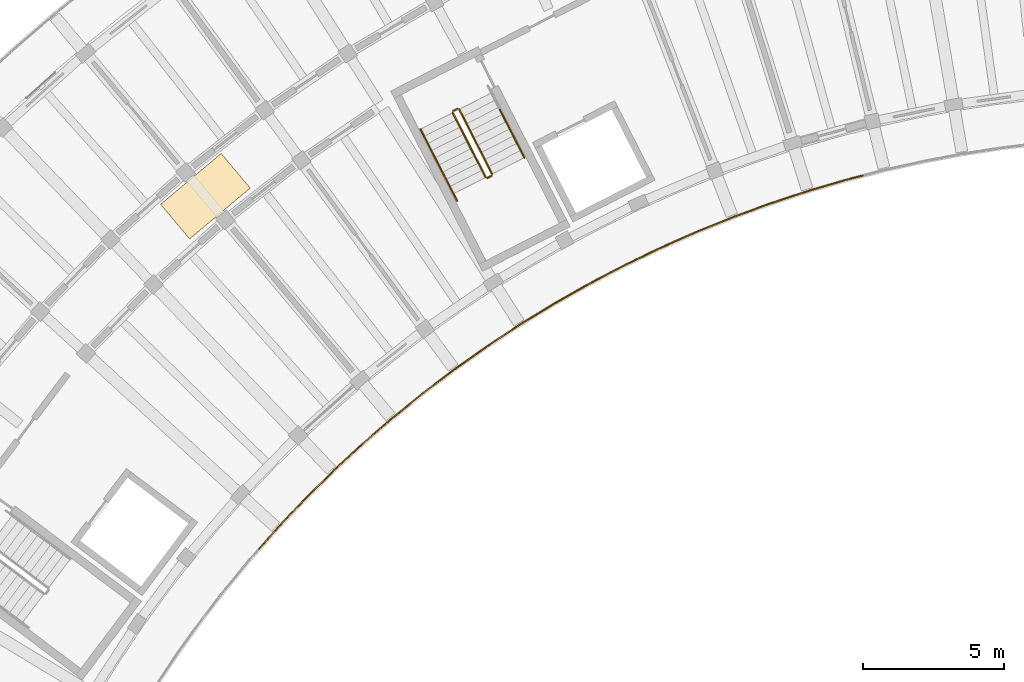
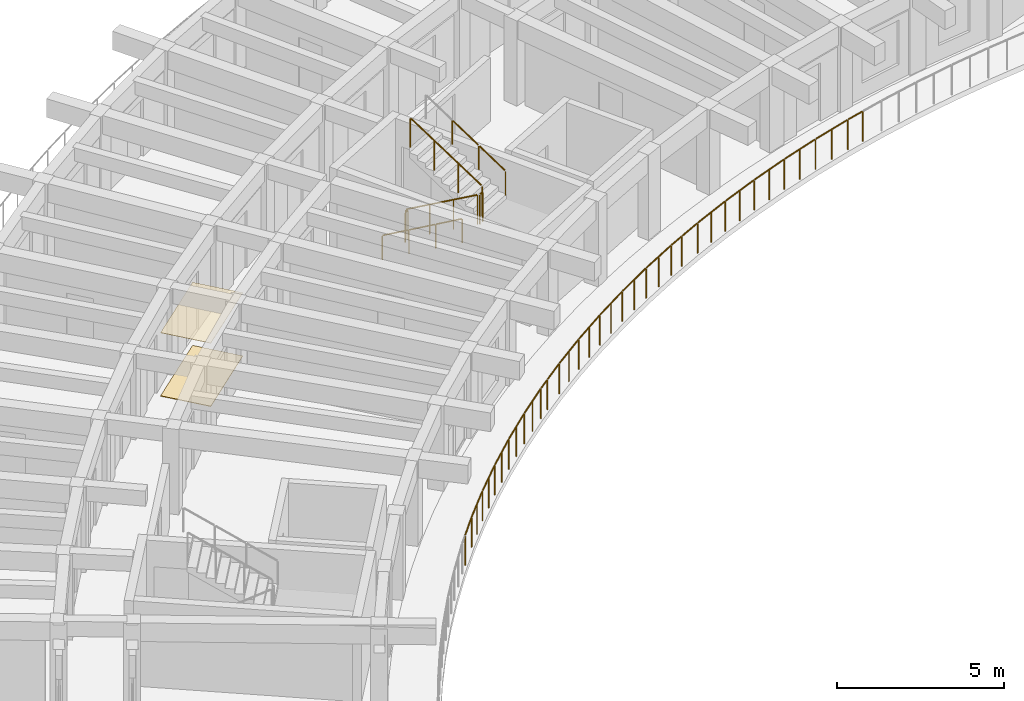
# One storey, part 48 of 56: 12 railings, 2 coverings.
"""IFC4 building model written with IfcOpenShell, lengths in metres."""

from ifc_helpers import new_model, si_unit, direction, frame, origin, origin_2d, place, context, subcontext, project, spatial, rectangle, circle, extrude, material, layer, layer_set, type_object, element, save


model = new_model("IFC4")

# Units and contexts
model_context = context("Model", 3, precision=1e-05, world=origin(), true_north=direction((0.0, 1.0)))
body_context = subcontext(model_context, "Body", "Model", "MODEL_VIEW")
ifc_project = project(units=[si_unit("LENGTHUNIT", "METRE"), si_unit("AREAUNIT", "SQUARE_METRE"), si_unit("VOLUMEUNIT", "CUBIC_METRE"), si_unit("PLANEANGLEUNIT", "RADIAN"), si_unit("MASSUNIT", "GRAM", prefix="KILO")], contexts=[model_context])

# Site, building, storey
site_placement = place(None, origin())
site = spatial("IfcSite", under=ifc_project, at=site_placement, CompositionType="ELEMENT")
building_placement = place(site_placement, origin())
building = spatial("IfcBuilding", under=site, at=building_placement, Name="Tanwirah Colonnade Gardens", CompositionType="ELEMENT")
storey_placement = place(building_placement, frame((0.0, 0.0, 29.0)))
storey = spatial("IfcBuildingStorey", under=building, at=storey_placement, Name="L08", CompositionType="ELEMENT", Elevation=29.0)

# Railings
ifc_material_1 = material(Name="Precast concrete C40/50", Category="concrete")
railing_type_1 = type_object("IfcRailingType", Name="BAL-EXT112", PredefinedType="BALUSTRADE", material=ifc_material_1)
railing_1_placement = place(storey_placement, frame((54.236083984375, 101.494384765625, 0.0)))
element("IfcRailing", 1, at=railing_1_placement, inside=storey, type_object=railing_type_1, Name="Block A L08 Balcony Ribbon Balustrade 2", PredefinedType="BALUSTRADE", context=body_context, shape_type="SweptSolid", body=[
    extrude(circle(Radius=0.02392578125, at=origin_2d()), frame((-0.0302734375, -0.0078125, 1.09619140625), z_axis=(-0.968166647099, -0.250306499006, 0.0), x_axis=(0.250306499006, -0.968166647099, 0.0)), (0.0, 0.0, 1.0), 0.557861328125),
    extrude(circle(Radius=0.02392578125, at=origin_2d()), frame((-0.63330078125, -0.164794921875, 1.09619140625), z_axis=(-0.959362733044, -0.282175736812, 0.0), x_axis=(0.282175736812, -0.959362733044, 0.0)), (0.0, 0.0, 1.0), 1.341796875),
    extrude(circle(Radius=0.02392578125, at=origin_2d()), frame((-1.98291015625, -0.562744140625, 1.09619140625), z_axis=(-0.949531842797, -0.313670654533, 0.0), x_axis=(0.313670654533, -0.949531842797, 0.0)), (0.0, 0.0, 1.0), 1.341552734375),
    extrude(circle(Radius=0.02392578125, at=origin_2d()), frame((-3.318359375, -1.005126953125, 1.09619140625), z_axis=(-0.93868698515, -0.344770567059, 0.0), x_axis=(0.344770567059, -0.93868698515, 0.0)), (0.0, 0.0, 1.0), 1.341796875),
    extrude(circle(Radius=0.02392578125, at=origin_2d()), frame((-4.638671875, -1.4912109375, 1.09619140625), z_axis=(-0.92683738147, -0.375463005247, 0.0), x_axis=(0.375463005247, -0.92683738147, 0.0)), (0.0, 0.0, 1.0), 1.342041015625),
    extrude(circle(Radius=0.02392578125, at=origin_2d()), frame((-5.942138671875, -2.0205078125, 1.09619140625), z_axis=(-0.913997826773, -0.40571908096, 0.0), x_axis=(0.40571908096, -0.913997826773, 0.0)), (0.0, 0.0, 1.0), 1.342041015625),
    extrude(circle(Radius=0.02392578125, at=origin_2d()), frame((-7.2275390625, -2.592529296875, 1.09619140625), z_axis=(-0.900038195948, -0.435811020783, 0.0), x_axis=(0.435811020783, -0.900038195948, 0.0)), (0.0, 0.0, 1.0), 0.779541015625),
    extrude(circle(Radius=0.02099609375, at=origin_2d()), origin(), (0.0, 0.0, 1.0), 1.069091796875),
    extrude(circle(Radius=0.02099609375, at=origin_2d()), frame((-0.6005859375, -0.1552734375, 0.0)), (0.0, 0.0, 1.0), 1.069091796875),
    extrude(circle(Radius=0.02099609375, at=origin_2d()), frame((-1.27685546875, -0.35400390625, 0.0)), (0.0, 0.0, 1.0), 1.069091796875),
    extrude(circle(Radius=0.02099609375, at=origin_2d()), frame((-1.950439453125, -0.55224609375, 0.0)), (0.0, 0.0, 1.0), 1.069091796875),
    extrude(circle(Radius=0.02099609375, at=origin_2d()), frame((-2.61962890625, -0.773193359375, 0.0)), (0.0, 0.0, 1.0), 1.069091796875),
    extrude(circle(Radius=0.02099609375, at=origin_2d()), frame((-3.286376953125, -0.993408203125, 0.0)), (0.0, 0.0, 1.0), 1.069091796875),
    extrude(circle(Radius=0.02099609375, at=origin_2d()), frame((-3.9482421875, -1.236328125, 0.0)), (0.0, 0.0, 1.0), 1.069091796875),
    extrude(circle(Radius=0.02099609375, at=origin_2d()), frame((-4.607177734375, -1.478515625, 0.0)), (0.0, 0.0, 1.0), 1.069091796875),
    extrude(circle(Radius=0.02099609375, at=origin_2d()), frame((-5.260498046875, -1.7431640625, 0.0)), (0.0, 0.0, 1.0), 1.069091796875),
    extrude(circle(Radius=0.02099609375, at=origin_2d()), frame((-5.911376953125, -2.0068359375, 0.0)), (0.0, 0.0, 1.0), 1.069091796875),
    extrude(circle(Radius=0.02099609375, at=origin_2d()), frame((-6.555419921875, -2.292724609375, 0.0)), (0.0, 0.0, 1.0), 1.069091796875),
    extrude(circle(Radius=0.02099609375, at=origin_2d()), frame((-7.197265625, -2.57763671875, 0.0)), (0.0, 0.0, 1.0), 1.069091796875),
    extrude(circle(Radius=0.02099609375, at=origin_2d()), frame((-7.957275390625, -2.94580078125, 0.0)), (0.0, 0.0, 1.0), 1.069091796875),
])
railing_2_placement = place(storey_placement, frame((46.27880859375, 98.548583984375, 0.0)))
element("IfcRailing", 2, at=railing_2_placement, inside=storey, type_object=railing_type_1, Name="Block A L08 Balcony Ribbon Balustrade 3", PredefinedType="BALUSTRADE", context=body_context, shape_type="SweptSolid", body=[
    extrude(circle(Radius=0.02392578125, at=origin_2d()), frame((-0.028076171875, -0.013671875, 1.09619140625), z_axis=(-0.900252558568, -0.435368040619, 0.0), x_axis=(0.435368040619, -0.900252558568, 0.0)), (0.0, 0.0, 1.0), 0.5),
    extrude(circle(Radius=0.02392578125, at=origin_2d()), frame((-0.5361328125, -0.2607421875, 1.09619140625), z_axis=(-0.885204649416, -0.465201814972, 0.0), x_axis=(0.465201814972, -0.885204649416, 0.0)), (0.0, 0.0, 1.0), 1.341796875),
    extrude(circle(Radius=0.02392578125, at=origin_2d()), frame((-1.78125, -0.916015625, 1.09619140625), z_axis=(-0.869342839865, -0.494209496848, 0.0), x_axis=(0.494209496848, -0.869342839865, 0.0)), (0.0, 0.0, 1.0), 1.342041015625),
    extrude(circle(Radius=0.02392578125, at=origin_2d()), frame((-3.00390625, -1.6123046875, 1.09619140625), z_axis=(-0.852623736113, -0.522525372223, 0.0), x_axis=(0.522525372223, -0.852623736113, 0.0)), (0.0, 0.0, 1.0), 1.342041015625),
    extrude(circle(Radius=0.02392578125, at=origin_2d()), frame((-4.203125, -2.34814453125, 1.09619140625), z_axis=(-0.834927342507, -0.550360184547, 0.0), x_axis=(0.550360184547, -0.834927342507, 0.0)), (0.0, 0.0, 1.0), 1.341796875),
    extrude(circle(Radius=0.02392578125, at=origin_2d()), frame((-5.37744140625, -3.12353515625, 1.09619140625), z_axis=(-0.816321661452, -0.577597563226, 0.0), x_axis=(0.577597563226, -0.816321661452, 0.0)), (0.0, 0.0, 1.0), 1.341552734375),
    extrude(circle(Radius=0.02392578125, at=origin_2d()), frame((-6.525146484375, -3.936767578125, 1.09619140625), z_axis=(-0.796799330669, -0.604244012502, 0.0), x_axis=(0.604244012502, -0.796799330669, 0.0)), (0.0, 0.0, 1.0), 0.837646484375),
    extrude(circle(Radius=0.02099609375, at=origin_2d()), origin(), (0.0, 0.0, 1.0), 1.069091796875),
    extrude(circle(Radius=0.02099609375, at=origin_2d()), frame((-0.50634765625, -0.244873046875, 0.0)), (0.0, 0.0, 1.0), 1.069091796875),
    extrude(circle(Radius=0.02099609375, at=origin_2d()), frame((-1.130126953125, -0.57275390625, 0.0)), (0.0, 0.0, 1.0), 1.069091796875),
    extrude(circle(Radius=0.02099609375, at=origin_2d()), frame((-1.751708984375, -0.8994140625, 0.0)), (0.0, 0.0, 1.0), 1.069091796875),
    extrude(circle(Radius=0.02099609375, at=origin_2d()), frame((-2.36474609375, -1.24755859375, 0.0)), (0.0, 0.0, 1.0), 1.069091796875),
    extrude(circle(Radius=0.02099609375, at=origin_2d()), frame((-2.97509765625, -1.5947265625, 0.0)), (0.0, 0.0, 1.0), 1.069091796875),
    extrude(circle(Radius=0.02099609375, at=origin_2d()), frame((-3.576171875, -1.962890625, 0.0)), (0.0, 0.0, 1.0), 1.069091796875),
    extrude(circle(Radius=0.02099609375, at=origin_2d()), frame((-4.1748046875, -2.329833984375, 0.0)), (0.0, 0.0, 1.0), 1.069091796875),
    extrude(circle(Radius=0.02099609375, at=origin_2d()), frame((-4.76318359375, -2.717529296875, 0.0)), (0.0, 0.0, 1.0), 1.069091796875),
    extrude(circle(Radius=0.02099609375, at=origin_2d()), frame((-5.349609375, -3.10400390625, 0.0)), (0.0, 0.0, 1.0), 1.069091796875),
    extrude(circle(Radius=0.02099609375, at=origin_2d()), frame((-5.9248046875, -3.510986328125, 0.0)), (0.0, 0.0, 1.0), 1.069091796875),
    extrude(circle(Radius=0.02099609375, at=origin_2d()), frame((-6.498046875, -3.91650390625, 0.0)), (0.0, 0.0, 1.0), 1.069091796875),
    extrude(circle(Radius=0.02099609375, at=origin_2d()), frame((-7.217529296875, -4.4619140625, 0.0)), (0.0, 0.0, 1.0), 1.069091796875),
])
railing_3_placement = place(storey_placement, frame((39.061279296875, 94.086669921875, 0.0)))
element("IfcRailing", 3, at=railing_3_placement, inside=storey, type_object=railing_type_1, Name="Block A L08 Balcony Ribbon Balustrade 4", PredefinedType="BALUSTRADE", context=body_context, shape_type="SweptSolid", body=[
    extrude(circle(Radius=0.02392578125, at=origin_2d()), frame((-0.02490234375, -0.018798828125, 1.09619140625), z_axis=(-0.796852005176, -0.604174545845, 0.0), x_axis=(0.604174545845, -0.796852005176, 0.0)), (0.0, 0.0, 1.0), 0.44189453125),
    extrude(circle(Radius=0.02392578125, at=origin_2d()), frame((-0.427978515625, -0.325927734375, 1.09619140625), z_axis=(-0.776491375378, -0.630127879056, 0.0), x_axis=(0.630127879056, -0.776491375378, 0.0)), (0.0, 0.0, 1.0), 1.342041015625),
    extrude(circle(Radius=0.02392578125, at=origin_2d()), frame((-1.52001953125, -1.21337890625, 1.09619140625), z_axis=(-0.755402192857, -0.655261418845, 0.0), x_axis=(0.655261418845, -0.755402192857, 0.0)), (0.0, 0.0, 1.0), 1.341796875),
    extrude(circle(Radius=0.02392578125, at=origin_2d()), frame((-2.58203125, -2.135986328125, 1.09619140625), z_axis=(-0.73336899588, -0.679830799451, 0.0), x_axis=(0.679830799451, -0.73336899588, 0.0)), (0.0, 0.0, 1.0), 1.342041015625),
    extrude(circle(Radius=0.02392578125, at=origin_2d()), frame((-3.61328125, -3.09326171875, 1.09619140625), z_axis=(-0.710488556831, -0.703708754111, 0.0), x_axis=(0.703708754111, -0.710488556831, 0.0)), (0.0, 0.0, 1.0), 1.341796875),
    extrude(circle(Radius=0.02392578125, at=origin_2d()), frame((-4.612060546875, -4.084228515625, 1.09619140625), z_axis=(-0.687011382404, -0.726646654466, 0.0), x_axis=(0.726646654466, -0.687011382404, 0.0)), (0.0, 0.0, 1.0), 1.341796875),
    extrude(circle(Radius=0.02392578125, at=origin_2d()), frame((-5.577880859375, -5.107421875, 1.09619140625), z_axis=(-0.662590378068, -0.74898196967, 0.0), x_axis=(0.74898196967, -0.662590378068, 0.0)), (0.0, 0.0, 1.0), 0.8955078125),
    extrude(circle(Radius=0.02099609375, at=origin_2d()), origin(), (0.0, 0.0, 1.0), 1.069091796875),
    extrude(circle(Radius=0.02099609375, at=origin_2d()), frame((-0.40185546875, -0.3046875, 0.0)), (0.0, 0.0, 1.0), 1.069091796875),
    extrude(circle(Radius=0.02099609375, at=origin_2d()), frame((-0.94921875, -0.74853515625, 0.0)), (0.0, 0.0, 1.0), 1.069091796875),
    extrude(circle(Radius=0.02099609375, at=origin_2d()), frame((-1.494384765625, -1.191162109375, 0.0)), (0.0, 0.0, 1.0), 1.069091796875),
    extrude(circle(Radius=0.02099609375, at=origin_2d()), frame((-2.02685546875, -1.65283203125, 0.0)), (0.0, 0.0, 1.0), 1.069091796875),
    extrude(circle(Radius=0.02099609375, at=origin_2d()), frame((-2.55712890625, -2.113037109375, 0.0)), (0.0, 0.0, 1.0), 1.069091796875),
    extrude(circle(Radius=0.02099609375, at=origin_2d()), frame((-3.07421875, -2.59228515625, 0.0)), (0.0, 0.0, 1.0), 1.069091796875),
    extrude(circle(Radius=0.02099609375, at=origin_2d()), frame((-3.589111328125, -3.069580078125, 0.0)), (0.0, 0.0, 1.0), 1.069091796875),
    extrude(circle(Radius=0.02099609375, at=origin_2d()), frame((-4.08984375, -3.5654296875, 0.0)), (0.0, 0.0, 1.0), 1.069091796875),
    extrude(circle(Radius=0.02099609375, at=origin_2d()), frame((-4.5888671875, -4.0595703125, 0.0)), (0.0, 0.0, 1.0), 1.069091796875),
    extrude(circle(Radius=0.02099609375, at=origin_2d()), frame((-5.072998046875, -4.57177734375, 0.0)), (0.0, 0.0, 1.0), 1.069091796875),
    extrude(circle(Radius=0.02099609375, at=origin_2d()), frame((-5.555419921875, -5.08203125, 0.0)), (0.0, 0.0, 1.0), 1.069091796875),
    extrude(circle(Radius=0.02099609375, at=origin_2d()), frame((-6.19189453125, -5.801513671875, 0.0)), (0.0, 0.0, 1.0), 1.069091796875),
])

# Coverings
ifc_material_2 = material(Name="Acoustic perforated gypsum ceiling board")
ifc_layer_1 = layer(ifc_material_2, 0.014892578125)
ifc_layer_set_1 = layer_set([ifc_layer_1], Name="Acoustic perforated gypsum ceiling board")
covering_type_1 = type_object("IfcCoveringType", Name="COV-CEIL15", PredefinedType="CEILING", material=ifc_layer_set_1)
covering_1_placement = place(storey_placement, frame((30.96435546875, 100.761962890625, 2.3125), z_axis=(0.0, 0.0, 1.0), x_axis=(-0.766044443119, -0.642787609687, 0.0)))
element("IfcCovering", 4, at=covering_1_placement, inside=storey, type_object=covering_type_1, Name="Block A L08 Corridor Acoustic Ceiling", PredefinedType="CEILING", context=body_context, shape_type="SweptSolid", body=[
    extrude(rectangle(XDim=2.800048828125, YDim=1.60009765625, at=origin_2d()), origin(), (0.0, 0.0, 1.0), 0.014892578125),
])
ifc_material_3 = material(Name="Honed Abu Dhabi limestone terrazzo flooring", Category="masonry")
ifc_layer_2 = layer(ifc_material_3, 0.02001953125)
ifc_layer_set_2 = layer_set([ifc_layer_2], Name="Honed Abu Dhabi limestone terrazzo flooring")
covering_type_2 = type_object("IfcCoveringType", Name="COV-FLR20", PredefinedType="FLOORING", material=ifc_layer_set_2)
covering_2_placement = place(storey_placement, frame((30.96435546875, 100.761962890625, 0.0), z_axis=(0.0, 0.0, 1.0), x_axis=(-0.766044443119, -0.642787609687, 0.0)))
element("IfcCovering", 5, at=covering_2_placement, inside=storey, type_object=covering_type_2, Name="Block A L08 Corridor Terrazzo Flooring", PredefinedType="FLOORING", context=body_context, shape_type="SweptSolid", body=[
    extrude(rectangle(XDim=2.800048828125, YDim=1.60009765625, at=origin_2d()), origin(), (0.0, 0.0, 1.0), 0.02001953125),
])

# Railings
ifc_material_4 = material(Name="Powder-coated galvanized steel", Category="steel")
railing_type_2 = type_object("IfcRailingType", Name="GRD-ST110", PredefinedType="GUARDRAIL", material=ifc_material_4)
railing_4_placement = place(storey_placement, frame((39.718994140625, 103.715576171875, 0.16796875)))
element("IfcRailing", 6, at=railing_4_placement, inside=storey, type_object=railing_type_2, Name="L08 ST-A1 stair guard 1", PredefinedType="GUARDRAIL", context=body_context, shape_type="SweptSolid", body=[
    extrude(circle(Radius=0.02392578125, at=origin_2d()), frame((0.01220703125, -0.02392578125, 1.092041015625), z_axis=(0.391052831089, -0.767591854021, 0.507819287678), x_axis=(0.891032232724, 0.453940040365, 0.0)), (0.0, 0.0, 1.0), 2.914794921875),
    extrude(circle(Radius=0.02099609375, at=origin_2d()), origin(), (0.0, 0.0, 1.0), 1.049072265625),
    extrude(circle(Radius=0.02099609375, at=origin_2d()), frame((0.38818359375, -0.76171875, 0.50390625)), (0.0, 0.0, 1.0), 1.049072265625),
    extrude(circle(Radius=0.02099609375, at=origin_2d()), frame((0.776123046875, -1.523681640625, 1.008056640625)), (0.0, 0.0, 1.0), 1.049072265625),
    extrude(circle(Radius=0.02099609375, at=origin_2d()), frame((1.164306640625, -2.285400390625, 1.511962890625)), (0.0, 0.0, 1.0), 1.049072265625),
])
railing_5_placement = place(storey_placement, frame((40.95068359375, 101.408203125, 1.679931640625)))
element("IfcRailing", 7, at=railing_5_placement, inside=storey, type_object=railing_type_2, Name="L08 ST-A1 stair guard 2", PredefinedType="GUARDRAIL", context=body_context, shape_type="SweptSolid", body=[
    extrude(circle(Radius=0.02392578125, at=origin_2d()), frame((0.02783203125, 0.01416015625, 1.076171875), z_axis=(0.89073666619, 0.4545197372, 0.0), x_axis=(-0.4545197372, 0.89073666619, 0.0)), (0.0, 0.0, 1.0), 0.09765625),
    extrude(circle(Radius=0.02099609375, at=origin_2d()), origin(), (0.0, 0.0, 1.0), 1.049072265625),
    extrude(circle(Radius=0.02099609375, at=origin_2d()), frame((0.142578125, 0.07275390625, 0.0)), (0.0, 0.0, 1.0), 1.049072265625),
])
railing_6_placement = place(storey_placement, frame((41.114990234375, 101.548095703125, 1.847900390625)))
element("IfcRailing", 8, at=railing_6_placement, inside=storey, type_object=railing_type_2, Name="L08 ST-A1 stair guard 3", PredefinedType="GUARDRAIL", context=body_context, shape_type="SweptSolid", body=[
    extrude(circle(Radius=0.02392578125, at=origin_2d()), frame((-0.01220703125, 0.02392578125, 1.092041015625), z_axis=(-0.391106001368, 0.767535278576, 0.507863851672), x_axis=(-0.890993730975, -0.45401560696, 0.0)), (0.0, 0.0, 1.0), 2.9150390625),
    extrude(circle(Radius=0.02099609375, at=origin_2d()), origin(), (0.0, 0.0, 1.0), 1.049072265625),
    extrude(circle(Radius=0.02099609375, at=origin_2d()), frame((-0.38818359375, 0.76171875, 0.504150390625)), (0.0, 0.0, 1.0), 1.049072265625),
    extrude(circle(Radius=0.02099609375, at=origin_2d()), frame((-0.7763671875, 1.523681640625, 1.008056640625)), (0.0, 0.0, 1.0), 1.049072265625),
    extrude(circle(Radius=0.02099609375, at=origin_2d()), frame((-1.16455078125, 2.285400390625, 1.51220703125)), (0.0, 0.0, 1.0), 1.049072265625),
])
railing_7_placement = place(storey_placement, frame((39.74072265625, 103.78271484375, 0.0)))
element("IfcRailing", 9, at=railing_7_placement, inside=storey, type_object=railing_type_2, Name="L08 ST-A1 stair guard 4", PredefinedType="GUARDRAIL", context=body_context, shape_type="SweptSolid", body=[
    extrude(circle(Radius=0.02392578125, at=origin_2d()), frame((0.02783203125, 0.01416015625, 1.076171875), z_axis=(0.89073666619, 0.4545197372, 0.0), x_axis=(-0.4545197372, 0.89073666619, 0.0)), (0.0, 0.0, 1.0), 0.09765625),
    extrude(circle(Radius=0.02099609375, at=origin_2d()), origin(), (0.0, 0.0, 1.0), 1.049072265625),
    extrude(circle(Radius=0.02099609375, at=origin_2d()), frame((0.142578125, 0.07275390625, 0.0)), (0.0, 0.0, 1.0), 1.049072265625),
])
ifc_material_5 = material(Name="Brushed bronze stainless steel", Category="steel")
railing_type_3 = type_object("IfcRailingType", Name="HR-ST090", PredefinedType="HANDRAIL", material=ifc_material_5)
railing_8_placement = place(storey_placement, frame((38.578369140625, 103.134521484375, 0.16796875)))
element("IfcRailing", 10, at=railing_8_placement, inside=storey, type_object=railing_type_3, Name="L08 ST-A1 stair handrail 1", PredefinedType="HANDRAIL", context=body_context, shape_type="SweptSolid", body=[
    extrude(circle(Radius=0.02392578125, at=origin_2d()), frame((0.01220703125, -0.02392578125, 0.891845703125), z_axis=(0.390051618152, -0.765534245474, 0.511680617361), x_axis=(0.891010084603, 0.453983511965, 0.0)), (0.0, 0.0, 1.0), 1.04345703125),
    extrude(circle(Radius=0.02099609375, at=origin_2d()), origin(), (0.0, 0.0, 1.0), 0.848876953125),
    extrude(circle(Radius=0.02099609375, at=origin_2d()), frame((0.431396484375, -0.8466796875, 0.56591796875)), (0.0, 0.0, 1.0), 0.848876953125),
])
railing_9_placement = place(storey_placement, frame((39.009765625, 102.287841796875, 0.73388671875)))
element("IfcRailing", 11, at=railing_9_placement, inside=storey, type_object=railing_type_3, Name="L08 ST-A1 stair handrail 2", PredefinedType="HANDRAIL", context=body_context, shape_type="SweptSolid", body=[
    extrude(circle(Radius=0.02392578125, at=origin_2d()), frame((0.01220703125, -0.02392578125, 0.891845703125), z_axis=(0.389886268615, -0.765422249879, 0.511974097915), x_axis=(0.891061070925, 0.453883429839, 0.0)), (0.0, 0.0, 1.0), 1.043212890625),
    extrude(circle(Radius=0.02099609375, at=origin_2d()), origin(), (0.0, 0.0, 1.0), 0.848876953125),
    extrude(circle(Radius=0.02099609375, at=origin_2d()), frame((0.43115234375, -0.846435546875, 0.566162109375)), (0.0, 0.0, 1.0), 0.848876953125),
])
railing_10_placement = place(storey_placement, frame((39.44091796875, 101.44140625, 1.300048828125)))
element("IfcRailing", 12, at=railing_10_placement, inside=storey, type_object=railing_type_3, Name="L08 ST-A1 stair handrail 3", PredefinedType="HANDRAIL", context=body_context, shape_type="SweptSolid", body=[
    extrude(circle(Radius=0.02392578125, at=origin_2d()), frame((0.01220703125, -0.02392578125, 0.891845703125), z_axis=(0.390117538533, -0.765442844423, 0.51176709356), x_axis=(0.890957114254, 0.454087459154, 0.0)), (0.0, 0.0, 1.0), 1.043212890625),
    extrude(circle(Radius=0.02099609375, at=origin_2d()), origin(), (0.0, 0.0, 1.0), 0.848876953125),
    extrude(circle(Radius=0.02099609375, at=origin_2d()), frame((0.431396484375, -0.846435546875, 0.56591796875)), (0.0, 0.0, 1.0), 0.848876953125),
])
railing_11_placement = place(storey_placement, frame((42.255615234375, 102.129150390625, 1.847900390625)))
element("IfcRailing", 13, at=railing_11_placement, inside=storey, type_object=railing_type_3, Name="L08 ST-A1 stair handrail 4", PredefinedType="HANDRAIL", context=body_context, shape_type="SweptSolid", body=[
    extrude(circle(Radius=0.02392578125, at=origin_2d()), frame((-0.01220703125, 0.02392578125, 0.891845703125), z_axis=(-0.390073458003, 0.765356354779, 0.511930022133), x_axis=(-0.890957114254, -0.454087459154, 0.0)), (0.0, 0.0, 1.0), 1.04345703125),
    extrude(circle(Radius=0.02099609375, at=origin_2d()), origin(), (0.0, 0.0, 1.0), 0.848876953125),
    extrude(circle(Radius=0.02099609375, at=origin_2d()), frame((-0.431396484375, 0.846435546875, 0.566162109375)), (0.0, 0.0, 1.0), 0.848876953125),
])
railing_12_placement = place(storey_placement, frame((41.82421875, 102.9755859375, 2.4140625)))
element("IfcRailing", 14, at=railing_12_placement, inside=storey, type_object=railing_type_3, Name="L08 ST-A1 stair handrail 5", PredefinedType="HANDRAIL", context=body_context, shape_type="SweptSolid", body=[
    extrude(circle(Radius=0.02392578125, at=origin_2d()), frame((-0.01220703125, 0.02392578125, 0.891845703125), z_axis=(-0.390051618152, 0.765534245474, 0.511680617361), x_axis=(-0.891010084603, -0.453983511965, 0.0)), (0.0, 0.0, 1.0), 1.04345703125),
    extrude(circle(Radius=0.02099609375, at=origin_2d()), origin(), (0.0, 0.0, 1.0), 0.848876953125),
    extrude(circle(Radius=0.02099609375, at=origin_2d()), frame((-0.431396484375, 0.8466796875, 0.56591796875)), (0.0, 0.0, 1.0), 0.848876953125),
])

save(model, "model.ifc")
